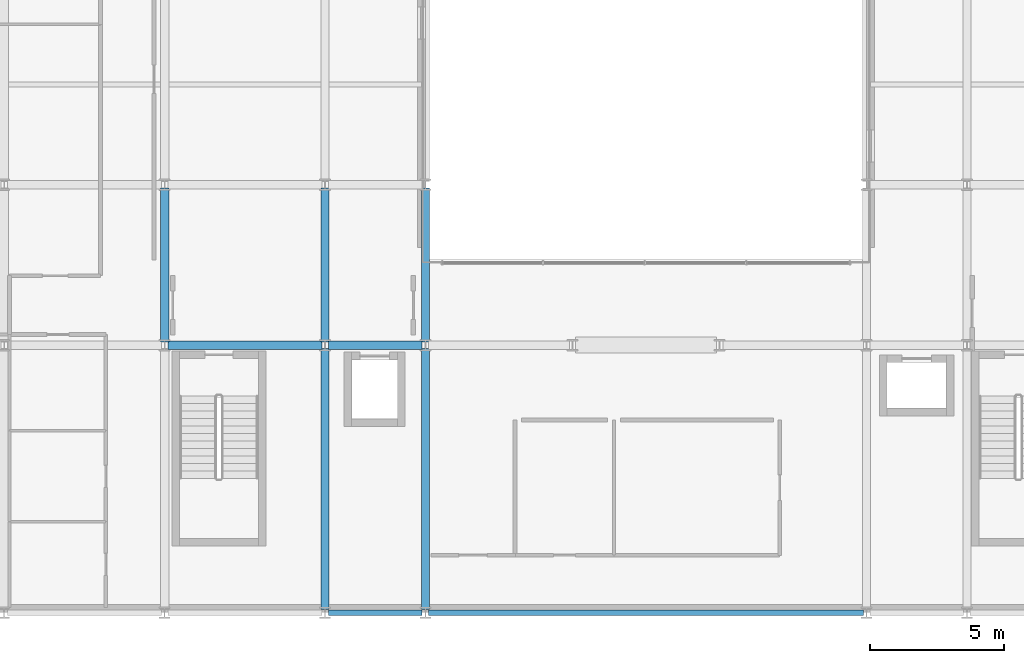
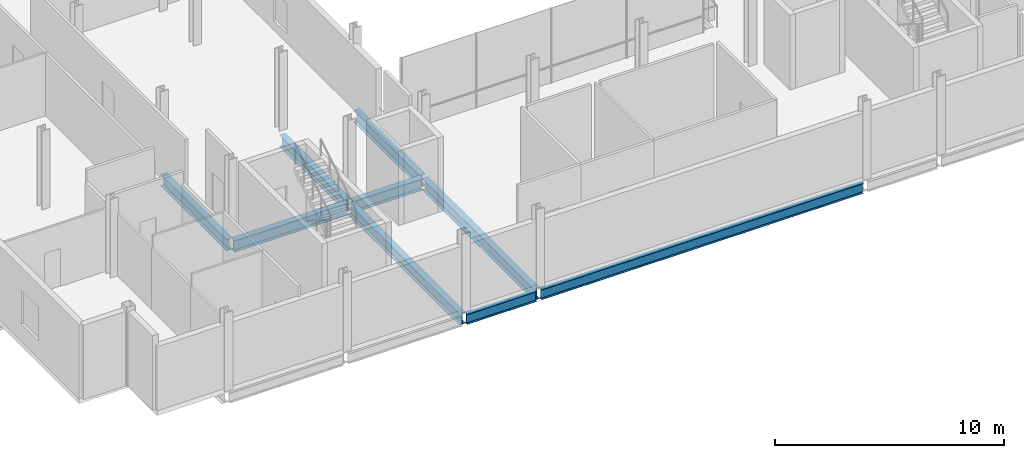
# One storey, part 3 of 32: 9 beams.
"""IFC4 building model written with IfcOpenShell, lengths in metres."""

import ifcopenshell
import ifcopenshell.guid

model = None  # the IFC model being written
_history = None  # IfcOwnerHistory: only IFC2X3 demands one
_inside = {}  # id of a spatial element -> (the spatial element, [elements in it])
_under = {}  # id of a project, library or spatial element -> (it, [spatial elements below it])
_declared = {}  # id of a project -> (the project, [libraries it declares])
_typed = {}  # id of a type object -> (the type object, [elements of that type])
_made_of = {}  # id of a material, layer set ... -> (it, [elements and type objects made of it])


def new_model(schema):
    """Start an empty IFC model of exactly this schema.

    Asked for "IFC4X3", IfcOpenShell would pick the latest addendum, in which some entities
    have other attributes; the version numbers below select the first issue.
    IFC2X3 requires an IfcOwnerHistory on every rooted entity: one is made here for all.
    """
    global model, _history
    if schema == "IFC4X3":
        model = ifcopenshell.file(schema_version=(4, 3, 0, 0))
    else:
        model = ifcopenshell.file(schema=schema)
    _inside.clear()
    _under.clear()
    _declared.clear()
    _typed.clear()
    _made_of.clear()
    _history = None
    if model.schema == "IFC2X3":
        org = make("IfcOrganization", Name="unknown")
        user = make(
            "IfcPersonAndOrganization",
            ThePerson=make("IfcPerson", FamilyName="unknown"),
            TheOrganization=org,
        )
        app = make(
            "IfcApplication",
            ApplicationDeveloper=org,
            Version="unknown",
            ApplicationFullName="unknown",
            ApplicationIdentifier="unknown",
        )
        _history = make(
            "IfcOwnerHistory",
            OwningUser=user,
            OwningApplication=app,
            ChangeAction="ADDED",
            CreationDate=0,
        )
    return model


def make(cls, **values):
    """One entity of the class cls with the attributes given. An attribute that is None is left unset."""
    return model.create_entity(
        cls, **{name: value for name, value in values.items() if value is not None}
    )


def rooted(cls, **values):
    """An entity with a GlobalId (a new one), such as an element, a storey or a relation."""
    return make(cls, GlobalId=ifcopenshell.guid.new(), OwnerHistory=_history, **values)


def si_unit(unit_type, name, prefix=None):
    """IfcSIUnit, for example si_unit("LENGTHUNIT", "METRE", prefix="MILLI")."""
    return make("IfcSIUnit", UnitType=unit_type, Prefix=prefix, Name=name)


def assignment(units):
    """IfcUnitAssignment: the units of a project."""
    return None if units is None else make("IfcUnitAssignment", Units=units)


def point(xyz):
    """IfcCartesianPoint."""
    return None if xyz is None else make("IfcCartesianPoint", Coordinates=xyz)


def direction(xyz):
    """IfcDirection."""
    return None if xyz is None else make("IfcDirection", DirectionRatios=xyz)


def frame(location, z_axis=None, x_axis=None):
    """IfcAxis2Placement3D, a coordinate frame: its origin and axes. An axis left out is left unset."""
    return make(
        "IfcAxis2Placement3D",
        Location=point(location),
        Axis=direction(z_axis),
        RefDirection=direction(x_axis),
    )


def frame_2d(location, x_axis=None):
    """IfcAxis2Placement2D, a coordinate frame in the plane: its origin and x axis."""
    return make(
        "IfcAxis2Placement2D", Location=point(location), RefDirection=direction(x_axis)
    )


def origin():
    """The frame at (0, 0, 0) with its axes left unset."""
    return frame((0.0, 0.0, 0.0))


def origin_2d():
    """The frame at (0, 0) in the plane with its x axis left unset."""
    return frame_2d((0.0, 0.0))


def place(relative_to, where):
    """IfcLocalPlacement: puts the frame where relative to a parent placement (None: the world)."""
    return make(
        "IfcLocalPlacement", PlacementRelTo=relative_to, RelativePlacement=where
    )


def context(
    kind, dimensions, precision=None, world=None, true_north=None, identifier=None
):
    """IfcGeometricRepresentationContext, for example the 3D "Model" context."""
    return make(
        "IfcGeometricRepresentationContext",
        ContextIdentifier=identifier,
        ContextType=kind,
        CoordinateSpaceDimension=dimensions,
        Precision=precision,
        WorldCoordinateSystem=world,
        TrueNorth=true_north,
    )


def subcontext(parent, identifier, kind, view, scale=None):
    """IfcGeometricRepresentationSubContext, for example "Body" below "Model"."""
    return make(
        "IfcGeometricRepresentationSubContext",
        ContextIdentifier=identifier,
        ContextType=kind,
        ParentContext=parent,
        TargetScale=scale,
        TargetView=view,
    )


def project(units=None, contexts=None):
    """IfcProject with its units and contexts."""
    return rooted(
        "IfcProject",
        Name="project",
        RepresentationContexts=contexts,
        UnitsInContext=assignment(units),
    )


def spatial(cls, under=None, at=None, **own):
    """A site, building, storey or space (cls), placed at a placement, below another one or the project."""
    s = rooted(cls, ObjectPlacement=at, **own)
    if under is not None:
        _under.setdefault(under.id(), (under, []))[1].append(s)
    return s


def profile(cls, at=None, kind="AREA", **sizes):
    """A parametric profile (cls). Its sizes go by their IFC names, for example OverallWidth=200.0."""
    return make(cls, ProfileType=kind, Position=at, **sizes)


def i_section(**sizes):
    """IfcIShapeProfileDef."""
    return profile("IfcIShapeProfileDef", **sizes)


def extrude(swept, where, along, depth):
    """IfcExtrudedAreaSolid: the profile swept, set in the frame where, extruded along a direction by depth."""
    return make(
        "IfcExtrudedAreaSolid",
        SweptArea=swept,
        Position=where,
        ExtrudedDirection=direction(along),
        Depth=depth,
    )


def shape(context_of_items, identifier, shape_type, items):
    """IfcShapeRepresentation: the items that make up one representation, for example the "Body"."""
    return make(
        "IfcShapeRepresentation",
        ContextOfItems=context_of_items,
        RepresentationIdentifier=identifier,
        RepresentationType=shape_type,
        Items=items,
    )


def material(Name=None, Category=None):
    """IfcMaterial."""
    return make("IfcMaterial", Name=Name, Category=Category)


def material_profile(
    of_material, cross_section, Name=None, Category=None, Priority=None
):
    """IfcMaterialProfile: a cross section and its material."""
    return make(
        "IfcMaterialProfile",
        Name=Name,
        Material=of_material,
        Profile=cross_section,
        Priority=Priority,
        Category=Category,
    )


def profile_set(profiles, Name=None, composite=None):
    """IfcMaterialProfileSet."""
    return make(
        "IfcMaterialProfileSet",
        Name=Name,
        MaterialProfiles=profiles,
        CompositeProfile=composite,
    )


def made_of(thing, what):
    """Note that an element or type object is made of a material, layer set ...; save() writes the relation."""
    if what is not None:
        _made_of.setdefault(what.id(), (what, []))[1].append(thing)
    return thing


def type_object(cls, material=None, **own):
    """A type object (cls), such as IfcWallType, which elements share."""
    return made_of(rooted(cls, **own), material)


def element(
    cls,
    number,
    at=None,
    inside=None,
    cuts=None,
    type_object=None,
    material=None,
    context=None,
    identifier="Body",
    shape_type=None,
    held_by="IfcProductDefinitionShape",
    body=None,
    shapes=None,
    **own,
):
    """One element of the class cls, such as IfcWall. Its Tag is "e" and its number.

    at: its placement. inside: the storey or other place that contains it. cuts: it is an
    opening in that element (IfcRelVoidsElement). A single representation is given by context,
    identifier, shape_type and body (its items); several are given by shapes. held_by: the class
    of the entity that holds the representations. save() writes the other relations.
    """
    e = rooted(cls, Tag="e%d" % number, ObjectPlacement=at, **own)
    if body is not None:
        shapes = [shape(context, identifier, shape_type, body)]
    if shapes is not None:
        e.Representation = make(held_by, Representations=shapes)
    if inside is not None:
        _inside.setdefault(inside.id(), (inside, []))[1].append(e)
    if cuts is not None:
        rooted(
            "IfcRelVoidsElement", RelatingBuildingElement=cuts, RelatedOpeningElement=e
        )
    if type_object is not None:
        _typed.setdefault(type_object.id(), (type_object, []))[1].append(e)
    return made_of(e, material)


def aggregate(whole, parts):
    """IfcRelAggregates: a whole, such as a stair, and the parts it consists of."""
    return rooted("IfcRelAggregates", RelatingObject=whole, RelatedObjects=parts)


def save(model, path):
    """Write the relations noted so far, then the file.

    IfcRelAggregates (storeys below a building ...), IfcRelContainedInSpatialStructure (elements
    in a storey), IfcRelDefinesByType, IfcRelAssociatesMaterial and IfcRelDeclares: one each for
    every whole, place, type object, material and project.
    """
    for whole, parts in _under.values():
        aggregate(whole, parts)
    for where, things in _inside.values():
        rooted(
            "IfcRelContainedInSpatialStructure",
            RelatedElements=things,
            RelatingStructure=where,
        )
    for kind, things in _typed.values():
        rooted("IfcRelDefinesByType", RelatedObjects=things, RelatingType=kind)
    for what, things in _made_of.values():
        rooted("IfcRelAssociatesMaterial", RelatedObjects=things, RelatingMaterial=what)
    for by, libraries in _declared.values():
        rooted("IfcRelDeclares", RelatingContext=by, RelatedDefinitions=libraries)
    model.write(path)


model = new_model("IFC4")

# Units and contexts
model_context = context("Model", 3, precision=1e-05, world=origin(), true_north=direction((0.0, 1.0)))
body_context = subcontext(model_context, "Body", "Model", "MODEL_VIEW")
ifc_project = project(units=[si_unit("LENGTHUNIT", "METRE"), si_unit("AREAUNIT", "SQUARE_METRE"), si_unit("VOLUMEUNIT", "CUBIC_METRE"), si_unit("PLANEANGLEUNIT", "RADIAN"), si_unit("MASSUNIT", "GRAM", prefix="KILO")], contexts=[model_context])

# Site, building, storey
site_placement = place(None, origin())
site = spatial("IfcSite", under=ifc_project, at=site_placement, CompositionType="ELEMENT")
building_placement = place(site_placement, origin())
building = spatial("IfcBuilding", under=site, at=building_placement, Name="Brevholm Reach", CompositionType="ELEMENT")
storey_placement = place(building_placement, frame((0.0, 0.0, 134.5)))
storey = spatial("IfcBuildingStorey", under=building, at=storey_placement, Name="L40", CompositionType="ELEMENT", Elevation=134.5)

# Beams
ifc_material_1 = material(Name="Structural Steel S355J2", Category="steel")
ifc_material_profile_1 = material_profile(ifc_material_1, i_section(OverallWidth=0.210693359375, OverallDepth=0.53955078125, WebThickness=0.01171875, FlangeThickness=0.018798828125, FilletRadius=0.0126953125, at=origin_2d()), Name="UKB 533x210x109")
ifc_profile_set_1 = profile_set([ifc_material_profile_1], Name="Structural Steel S355J2")
beam_type_1 = type_object("IfcBeamType", Name="BM-SP539", PredefinedType="SPANDREL", material=ifc_profile_set_1)
beam_1_placement = place(storey_placement, frame((18.1201171875, 0.0, -0.519775390625), z_axis=(1.0, 0.0, 0.0), x_axis=(0.0, 1.0, 0.0)))
element("IfcBeam", 1, at=beam_1_placement, inside=storey, type_object=beam_type_1, Name="L40 SP-01B Framing Beam", PredefinedType="SPANDREL", context=body_context, shape_type="SweptSolid", body=[
    extrude(i_section(OverallWidth=0.210693359375, OverallDepth=0.53955078125, WebThickness=0.01171875, FlangeThickness=0.018798828125, FilletRadius=0.0126953125, at=origin_2d()), origin(), (0.0, 0.0, 1.0), 3.509765625),
])
beam_2_placement = place(storey_placement, frame((21.8701171875, 0.0, -0.519775390625), z_axis=(1.0, 0.0, 0.0), x_axis=(0.0, 1.0, 0.0)))
element("IfcBeam", 2, at=beam_2_placement, inside=storey, type_object=beam_type_1, Name="L40 SP-01B Framing Beam", PredefinedType="SPANDREL", context=body_context, shape_type="SweptSolid", body=[
    extrude(i_section(OverallWidth=0.210693359375, OverallDepth=0.53955078125, WebThickness=0.01171875, FlangeThickness=0.018798828125, FilletRadius=0.0126953125, at=origin_2d()), origin(), (0.0, 0.0, 1.0), 16.259765625),
])
ifc_material_2 = material(Name="Structural Steel S355J2", Category="steel")
ifc_material_profile_2 = material_profile(ifc_material_2, i_section(OverallWidth=0.30712890625, OverallDepth=0.6201171875, WebThickness=0.01416015625, FlangeThickness=0.023681640625, FilletRadius=0.0166015625, at=origin_2d()), Name="UKB 610x305x179")
ifc_profile_set_2 = profile_set([ifc_material_profile_2], Name="Structural Steel S355J2")
beam_type_2 = type_object("IfcBeamType", Name="BM-UKB610H", PredefinedType="USERDEFINED", material=ifc_profile_set_2)
beam_3_placement = place(storey_placement, frame((12.1201171875, 10.0, -0.56005859375), z_axis=(1.0, 0.0, 0.0), x_axis=(0.0, 1.0, 0.0)))
element("IfcBeam", 3, at=beam_3_placement, inside=storey, type_object=beam_type_2, Name="L40 G-06 Framing Beam", ObjectType="GIRDER", PredefinedType="USERDEFINED", context=body_context, shape_type="SweptSolid", body=[
    extrude(i_section(OverallWidth=0.30712890625, OverallDepth=0.6201171875, WebThickness=0.01416015625, FlangeThickness=0.023681640625, FilletRadius=0.0166015625, at=origin_2d()), origin(), (0.0, 0.0, 1.0), 5.759765625),
])
beam_4_placement = place(storey_placement, frame((18.1201171875, 10.0, -0.56005859375), z_axis=(1.0, 0.0, 0.0), x_axis=(0.0, 1.0, 0.0)))
element("IfcBeam", 4, at=beam_4_placement, inside=storey, type_object=beam_type_2, Name="L40 G-06 Framing Beam", ObjectType="GIRDER", PredefinedType="USERDEFINED", context=body_context, shape_type="SweptSolid", body=[
    extrude(i_section(OverallWidth=0.30712890625, OverallDepth=0.6201171875, WebThickness=0.01416015625, FlangeThickness=0.023681640625, FilletRadius=0.0166015625, at=origin_2d()), origin(), (0.0, 0.0, 1.0), 3.509765625),
])
beam_5_placement = place(storey_placement, frame((12.0, 10.1201171875, -0.56005859375), z_axis=(0.0, 1.0, 0.0), x_axis=(-1.0, 0.0, 0.0)))
element("IfcBeam", 5, at=beam_5_placement, inside=storey, type_object=beam_type_2, Name="L40 G-06 Framing Beam", ObjectType="GIRDER", PredefinedType="USERDEFINED", context=body_context, shape_type="SweptSolid", body=[
    extrude(i_section(OverallWidth=0.30712890625, OverallDepth=0.6201171875, WebThickness=0.01416015625, FlangeThickness=0.023681640625, FilletRadius=0.0166015625, at=origin_2d()), origin(), (0.0, 0.0, 1.0), 5.759765625),
])
beam_6_placement = place(storey_placement, frame((18.0, 0.1201171875, -0.56005859375), z_axis=(0.0, 1.0, 0.0), x_axis=(-1.0, 0.0, 0.0)))
element("IfcBeam", 6, at=beam_6_placement, inside=storey, type_object=beam_type_2, Name="L40 G-06 Framing Beam", ObjectType="GIRDER", PredefinedType="USERDEFINED", context=body_context, shape_type="SweptSolid", body=[
    extrude(i_section(OverallWidth=0.30712890625, OverallDepth=0.6201171875, WebThickness=0.01416015625, FlangeThickness=0.023681640625, FilletRadius=0.0166015625, at=origin_2d()), origin(), (0.0, 0.0, 1.0), 9.759765625),
])
beam_7_placement = place(storey_placement, frame((18.0, 10.1201171875, -0.56005859375), z_axis=(0.0, 1.0, 0.0), x_axis=(-1.0, 0.0, 0.0)))
element("IfcBeam", 7, at=beam_7_placement, inside=storey, type_object=beam_type_2, Name="L40 G-06 Framing Beam", ObjectType="GIRDER", PredefinedType="USERDEFINED", context=body_context, shape_type="SweptSolid", body=[
    extrude(i_section(OverallWidth=0.30712890625, OverallDepth=0.6201171875, WebThickness=0.01416015625, FlangeThickness=0.023681640625, FilletRadius=0.0166015625, at=origin_2d()), origin(), (0.0, 0.0, 1.0), 5.759765625),
])
beam_8_placement = place(storey_placement, frame((21.75, 0.1201171875, -0.56005859375), z_axis=(0.0, 1.0, 0.0), x_axis=(-1.0, 0.0, 0.0)))
element("IfcBeam", 8, at=beam_8_placement, inside=storey, type_object=beam_type_2, Name="L40 G-06 Framing Beam", ObjectType="GIRDER", PredefinedType="USERDEFINED", context=body_context, shape_type="SweptSolid", body=[
    extrude(i_section(OverallWidth=0.30712890625, OverallDepth=0.6201171875, WebThickness=0.01416015625, FlangeThickness=0.023681640625, FilletRadius=0.0166015625, at=origin_2d()), origin(), (0.0, 0.0, 1.0), 9.759765625),
])
beam_9_placement = place(storey_placement, frame((21.75, 10.1201171875, -0.56005859375), z_axis=(0.0, 1.0, 0.0), x_axis=(-1.0, 0.0, 0.0)))
element("IfcBeam", 9, at=beam_9_placement, inside=storey, type_object=beam_type_2, Name="L40 G-06 Framing Beam", ObjectType="GIRDER", PredefinedType="USERDEFINED", context=body_context, shape_type="SweptSolid", body=[
    extrude(i_section(OverallWidth=0.30712890625, OverallDepth=0.6201171875, WebThickness=0.01416015625, FlangeThickness=0.023681640625, FilletRadius=0.0166015625, at=origin_2d()), origin(), (0.0, 0.0, 1.0), 5.759765625),
])

save(model, "model.ifc")
